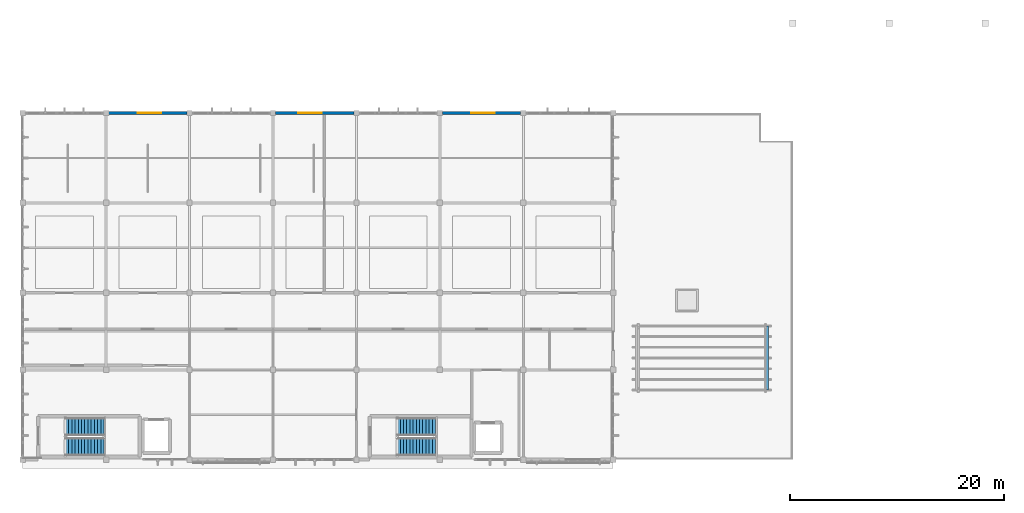
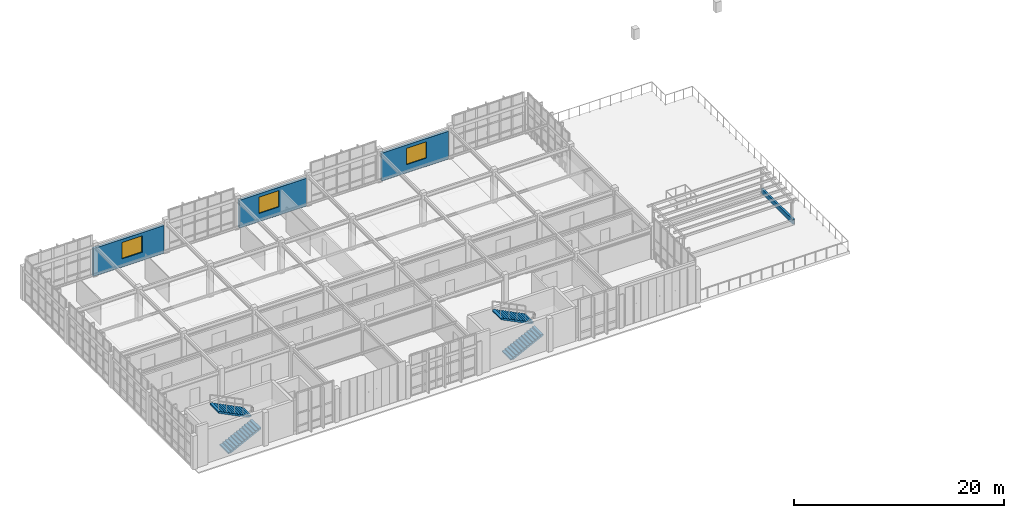
# One storey, part 14 of 20: 4 stair flights, 4 walls, 3 windows, 3 openings, 2 elements without a shape of their own.
"""IFC4 building model written with IfcOpenShell, lengths in metres."""

from ifc_helpers import new_model, si_unit, direction, frame, frame_2d, origin, place, context, subcontext, project, spatial, polyline, rectangle, outline, extrude, material, layer, layer_set, type_object, element, fill, aggregate, save


model = new_model("IFC4")

# Units and contexts
model_context = context("Model", 3, precision=1e-05, world=origin(), true_north=direction((0.0, 1.0)))
body_context = subcontext(model_context, "Body", "Model", "MODEL_VIEW")
ifc_project = project(units=[si_unit("LENGTHUNIT", "METRE"), si_unit("AREAUNIT", "SQUARE_METRE"), si_unit("VOLUMEUNIT", "CUBIC_METRE"), si_unit("PLANEANGLEUNIT", "RADIAN"), si_unit("MASSUNIT", "GRAM", prefix="KILO")], contexts=[model_context])

# Site, building, storey
site_placement = place(None, origin())
site = spatial("IfcSite", under=ifc_project, at=site_placement, CompositionType="ELEMENT")
building_placement = place(site_placement, origin())
building = spatial("IfcBuilding", under=site, at=building_placement, Name="Tizgana Railside Sports Hall", CompositionType="ELEMENT")
storey_placement = place(building_placement, frame((0.0, 0.0, 19.800048828125)))
storey = spatial("IfcBuildingStorey", under=building, at=storey_placement, Name="L04", CompositionType="ELEMENT", Elevation=19.800048828125)

# Wall, opening, window
ifc_material_1 = material(Name="Precast concrete C40/50", Category="concrete")
ifc_layer_1 = layer(ifc_material_1, 0.27001953125, Name="Precast concrete C40/50")
ifc_layer_set_1 = layer_set([ifc_layer_1], Name="Precast concrete C40/50")
wall_type_1 = type_object("IfcWallType", Name="Exterior Studio Facade Wall 270", PredefinedType="STANDARD", material=ifc_layer_set_1)
wall_1_placement = place(storey_placement, frame((15.37255859375, 32.39990234375, 0.0), z_axis=(0.0, 0.0, 1.0), x_axis=(1.0, 0.0, 0.0)))
wall_1 = element("IfcWall", 1, at=wall_1_placement, inside=storey, type_object=wall_type_1, Name="L04 Exterior Wall EWAL-0125", PredefinedType="STANDARD", context=body_context, shape_type="SweptSolid", body=[
    extrude(rectangle(XDim=7.787353515625, YDim=0.27001953125, at=frame_2d((3.8935546875, 0.0))), origin(), (0.0, 0.0, 1.0), 3.23095703125),
])
opening_1_placement = place(wall_1_placement, frame((3.177490234375, 0.0, 0.949951171875)))
opening_1 = element("IfcOpeningElement", 2, at=opening_1_placement, cuts=wall_1, Name="Opening W-0091", PredefinedType="OPENING", context=body_context, shape_type="SweptSolid", body=[
    extrude(rectangle(XDim=2.199951171875, YDim=1.89990234375, at=frame_2d((1.10009765625, 0.949951171875))), frame((0.0, 0.14501953125, 0.0), z_axis=(0.0, -1.0, 0.0), x_axis=(1.0, 0.0, 0.0)), (0.0, 0.0, 1.0), 0.2900390625),
])
ifc_material_2 = material(Name="Double low-E laminated glass", Category="glass")
window_type = type_object("IfcWindowType", Name="Clinic Double Window 2200x1900", PartitioningType="SINGLE_PANEL", PredefinedType="WINDOW", material=ifc_material_2)
window_1_placement = place(opening_1_placement, origin())
window_1 = element("IfcWindow", 3, at=window_1_placement, inside=storey, type_object=window_type, Name="L04 Window W-0091", OverallHeight=1.89990234375, OverallWidth=2.199951171875, PartitioningType="SINGLE_PANEL", PredefinedType="WINDOW", context=body_context, shape_type="SweptSolid", body=[
    extrude(rectangle(XDim=2.199951171875, YDim=1.89990234375, at=frame_2d((1.10009765625, 0.949951171875))), frame((0.0, 0.030029296875, 0.0), z_axis=(0.0, -1.0, 0.0), x_axis=(1.0, 0.0, 0.0)), (0.0, 0.0, 1.0), 0.06005859375),
])
fill(opening_1, window_1)

wall_2_placement = place(storey_placement, frame((31.43994140625, 32.39990234375, 0.0), z_axis=(0.0, 0.0, 1.0), x_axis=(1.0, 0.0, 0.0)))
wall_2 = element("IfcWall", 4, at=wall_2_placement, inside=storey, type_object=wall_type_1, Name="L04 Exterior Wall EWAL-0126", PredefinedType="STANDARD", context=body_context, shape_type="SweptSolid", body=[
    extrude(rectangle(XDim=7.320068359375, YDim=0.27001953125, at=frame_2d((3.66015625, 0.0))), origin(), (0.0, 0.0, 1.0), 3.23095703125),
])
opening_2_placement = place(wall_2_placement, frame((2.110107421875, 0.0, 0.949951171875)))
opening_2 = element("IfcOpeningElement", 5, at=opening_2_placement, cuts=wall_2, Name="Opening W-0092", PredefinedType="OPENING", context=body_context, shape_type="SweptSolid", body=[
    extrude(rectangle(XDim=2.199951171875, YDim=1.89990234375, at=frame_2d((1.10009765625, 0.949951171875))), frame((0.0, 0.14501953125, 0.0), z_axis=(0.0, -1.0, 0.0), x_axis=(1.0, 0.0, 0.0)), (0.0, 0.0, 1.0), 0.2900390625),
])
window_2_placement = place(opening_2_placement, origin())
window_2 = element("IfcWindow", 6, at=window_2_placement, inside=storey, type_object=window_type, Name="L04 Window W-0092", OverallHeight=1.89990234375, OverallWidth=2.199951171875, PartitioningType="SINGLE_PANEL", PredefinedType="WINDOW", context=body_context, shape_type="SweptSolid", body=[
    extrude(rectangle(XDim=2.199951171875, YDim=1.89990234375, at=frame_2d((1.10009765625, 0.949951171875))), frame((0.0, 0.030029296875, 0.0), z_axis=(0.0, -1.0, 0.0), x_axis=(1.0, 0.0, 0.0)), (0.0, 0.0, 1.0), 0.06005859375),
])
fill(opening_2, window_2)

wall_3_placement = place(storey_placement, frame((47.0400390625, 32.39990234375, 0.0), z_axis=(0.0, 0.0, 1.0), x_axis=(1.0, 0.0, 0.0)))
wall_3 = element("IfcWall", 7, at=wall_3_placement, inside=storey, type_object=wall_type_1, Name="L04 Exterior Wall EWAL-0127", PredefinedType="STANDARD", context=body_context, shape_type="SweptSolid", body=[
    extrude(rectangle(XDim=7.320068359375, YDim=0.27001953125, at=frame_2d((3.66015625, 0.0))), origin(), (0.0, 0.0, 1.0), 3.23095703125),
])
opening_3_placement = place(wall_3_placement, frame((2.7099609375, 0.0, 0.949951171875)))
opening_3 = element("IfcOpeningElement", 8, at=opening_3_placement, cuts=wall_3, Name="Opening W-0093", PredefinedType="OPENING", context=body_context, shape_type="SweptSolid", body=[
    extrude(rectangle(XDim=2.199951171875, YDim=1.89990234375, at=frame_2d((1.10009765625, 0.949951171875))), frame((0.0, 0.14501953125, 0.0), z_axis=(0.0, -1.0, 0.0), x_axis=(1.0, 0.0, 0.0)), (0.0, 0.0, 1.0), 0.2900390625),
])
window_3_placement = place(opening_3_placement, origin())
window_3 = element("IfcWindow", 9, at=window_3_placement, inside=storey, type_object=window_type, Name="L04 Window W-0093", OverallHeight=1.89990234375, OverallWidth=2.199951171875, PartitioningType="SINGLE_PANEL", PredefinedType="WINDOW", context=body_context, shape_type="SweptSolid", body=[
    extrude(rectangle(XDim=2.199951171875, YDim=1.89990234375, at=frame_2d((1.10009765625, 0.949951171875))), frame((0.0, 0.030029296875, 0.0), z_axis=(0.0, -1.0, 0.0), x_axis=(1.0, 0.0, 0.0)), (0.0, 0.0, 1.0), 0.06005859375),
])
fill(opening_3, window_3)

# Wall
ifc_material_3 = material(Name="Concrete C35/45", Category="concrete")
ifc_layer_2 = layer(ifc_material_3, 0.2099609375, Name="Concrete C35/45")
ifc_layer_set_2 = layer_set([ifc_layer_2], Name="Concrete C35/45")
wall_type_2 = type_object("IfcWallType", Name="Roof Parapet Upstand 210", PredefinedType="PARAPET", material=ifc_layer_set_2)
wall_4_placement = place(storey_placement, frame((77.39990234375, 6.5, 0.0), z_axis=(0.0, 0.0, 1.0), x_axis=(0.0, 1.0, 0.0)))
element("IfcWall", 10, at=wall_4_placement, inside=storey, type_object=wall_type_2, Name="L04 Roof Garden Planter Kerb", PredefinedType="PARAPET", context=body_context, shape_type="SweptSolid", body=[
    extrude(rectangle(XDim=6.0, YDim=0.2099609375, at=frame_2d((3.0, 0.0))), origin(), (0.0, 0.0, 1.0), 0.550048828125),
])

# Stair, stair flights
stair_type_1 = type_object("IfcStairType", Name="Core Protected Stair 1500", PredefinedType="HALF_TURN_STAIR", material=ifc_material_3)
stair_1_placement = place(storey_placement, origin())
stair_1 = element("IfcStair", 11, at=stair_1_placement, inside=storey, type_object=stair_type_1, Name="L04 Core Stair ST-01", PredefinedType="HALF_TURN_STAIR")
stair_flight_type_1 = type_object("IfcStairFlightType", Name="Core Stair Flight 1500", PredefinedType="STRAIGHT", material=ifc_material_3)
stair_flight_1_placement = place(storey_placement, frame((11.800048828125, 1.22509765625, 0.0), z_axis=(0.0, 0.0, 1.0), x_axis=(1.0, 0.0, 0.0)))
stair_flight_1 = element("IfcStairFlight", 12, at=stair_flight_1_placement, type_object=stair_flight_type_1, Name="ST-01 flight 1", NumberOfRisers=13, NumberOfTreads=12, PredefinedType="STRAIGHT", RiserHeight=0.15, TreadLength=0.3, context=body_context, shape_type="SweptSolid", body=[
    extrude(outline(polyline([(0.0, 0.0), (0.0, 0.14990234375), (0.300048828125, 0.14990234375), (0.300048828125, 0.300048828125), (0.60009765625, 0.300048828125), (0.60009765625, 0.449951171875), (0.89990234375, 0.449951171875), (0.89990234375, 0.60009765625), (1.199951171875, 0.60009765625), (1.199951171875, 0.75), (1.5, 0.75), (1.5, 0.89990234375), (1.800048828125, 0.89990234375), (1.800048828125, 1.050048828125), (2.10009765625, 1.050048828125), (2.10009765625, 1.199951171875), (2.39990234375, 1.199951171875), (2.39990234375, 1.35009765625), (2.699951171875, 1.35009765625), (2.699951171875, 1.5), (3.0, 1.5), (3.0, 1.64990234375), (3.300048828125, 1.64990234375), (3.300048828125, 1.800048828125), (3.60009765625, 1.800048828125), (3.60009765625, 1.949951171875), (3.60009765625, 1.63232421875), (0.335205078125, 0.0), (0.0, 0.0)])), frame((0.0, 0.824951171875, 0.0), z_axis=(0.0, -1.0, 0.0), x_axis=(1.0, 0.0, 0.0)), (0.0, 0.0, 1.0), 1.64990234375),
])
stair_flight_2_placement = place(storey_placement, frame((15.39990234375, 3.074951171875, 1.949951171875), z_axis=(0.0, 0.0, 1.0), x_axis=(-1.0, 0.0, 0.0)))
stair_flight_2 = element("IfcStairFlight", 13, at=stair_flight_2_placement, type_object=stair_flight_type_1, Name="ST-01 flight 2", NumberOfRisers=13, NumberOfTreads=12, PredefinedType="STRAIGHT", RiserHeight=0.15, TreadLength=0.3, context=body_context, shape_type="SweptSolid", body=[
    extrude(outline(polyline([(0.0, 0.0), (0.0, 0.14990234375), (0.300048828125, 0.14990234375), (0.300048828125, 0.300048828125), (0.60009765625, 0.300048828125), (0.60009765625, 0.449951171875), (0.89990234375, 0.449951171875), (0.89990234375, 0.60009765625), (1.199951171875, 0.60009765625), (1.199951171875, 0.75), (1.5, 0.75), (1.5, 0.89990234375), (1.800048828125, 0.89990234375), (1.800048828125, 1.050048828125), (2.10009765625, 1.050048828125), (2.10009765625, 1.199951171875), (2.39990234375, 1.199951171875), (2.39990234375, 1.35009765625), (2.699951171875, 1.35009765625), (2.699951171875, 1.5), (3.0, 1.5), (3.0, 1.64990234375), (3.300048828125, 1.64990234375), (3.300048828125, 1.800048828125), (3.60009765625, 1.800048828125), (3.60009765625, 1.949951171875), (3.60009765625, 1.63232421875), (0.335205078125, 0.0), (0.0, 0.0)])), frame((0.0, 0.824951171875, 0.0), z_axis=(0.0, -1.0, 0.0), x_axis=(1.0, 0.0, 0.0)), (0.0, 0.0, 1.0), 1.64990234375),
])
aggregate(stair_1, [stair_flight_1, stair_flight_2])

stair_type_2 = type_object("IfcStairType", Name="Tournament Court Stair 1600", PredefinedType="HALF_TURN_STAIR", material=ifc_material_3)
stair_2_placement = place(storey_placement, origin())
stair_2 = element("IfcStair", 14, at=stair_2_placement, inside=storey, type_object=stair_type_2, Name="L04 Core Stair ST-02", PredefinedType="HALF_TURN_STAIR")
stair_flight_type_2 = type_object("IfcStairFlightType", Name="Tournament Stair Flight 1600", PredefinedType="STRAIGHT", material=ifc_material_3)
stair_flight_3_placement = place(storey_placement, frame((42.800048828125, 1.22509765625, 0.0), z_axis=(0.0, 0.0, 1.0), x_axis=(1.0, 0.0, 0.0)))
stair_flight_3 = element("IfcStairFlight", 15, at=stair_flight_3_placement, type_object=stair_flight_type_2, Name="ST-02 flight 1", NumberOfRisers=13, NumberOfTreads=12, PredefinedType="STRAIGHT", RiserHeight=0.15, TreadLength=0.3, context=body_context, shape_type="SweptSolid", body=[
    extrude(outline(polyline([(0.0, 0.0), (0.0, 0.14990234375), (0.300048828125, 0.14990234375), (0.300048828125, 0.300048828125), (0.60009765625, 0.300048828125), (0.60009765625, 0.449951171875), (0.89990234375, 0.449951171875), (0.89990234375, 0.60009765625), (1.199951171875, 0.60009765625), (1.199951171875, 0.75), (1.5, 0.75), (1.5, 0.89990234375), (1.800048828125, 0.89990234375), (1.800048828125, 1.050048828125), (2.10009765625, 1.050048828125), (2.10009765625, 1.199951171875), (2.39990234375, 1.199951171875), (2.39990234375, 1.35009765625), (2.699951171875, 1.35009765625), (2.699951171875, 1.5), (3.0, 1.5), (3.0, 1.64990234375), (3.300048828125, 1.64990234375), (3.300048828125, 1.800048828125), (3.60009765625, 1.800048828125), (3.60009765625, 1.949951171875), (3.60009765625, 1.63232421875), (0.335205078125, 0.0), (0.0, 0.0)])), frame((0.0, 0.824951171875, 0.0), z_axis=(0.0, -1.0, 0.0), x_axis=(1.0, 0.0, 0.0)), (0.0, 0.0, 1.0), 1.64990234375),
])
stair_flight_4_placement = place(storey_placement, frame((46.39990234375, 3.074951171875, 1.949951171875), z_axis=(0.0, 0.0, 1.0), x_axis=(-1.0, 0.0, 0.0)))
stair_flight_4 = element("IfcStairFlight", 16, at=stair_flight_4_placement, type_object=stair_flight_type_2, Name="ST-02 flight 2", NumberOfRisers=13, NumberOfTreads=12, PredefinedType="STRAIGHT", RiserHeight=0.15, TreadLength=0.3, context=body_context, shape_type="SweptSolid", body=[
    extrude(outline(polyline([(0.0, 0.0), (0.0, 0.14990234375), (0.300048828125, 0.14990234375), (0.300048828125, 0.300048828125), (0.60009765625, 0.300048828125), (0.60009765625, 0.449951171875), (0.89990234375, 0.449951171875), (0.89990234375, 0.60009765625), (1.199951171875, 0.60009765625), (1.199951171875, 0.75), (1.5, 0.75), (1.5, 0.89990234375), (1.800048828125, 0.89990234375), (1.800048828125, 1.050048828125), (2.10009765625, 1.050048828125), (2.10009765625, 1.199951171875), (2.39990234375, 1.199951171875), (2.39990234375, 1.35009765625), (2.699951171875, 1.35009765625), (2.699951171875, 1.5), (3.0, 1.5), (3.0, 1.64990234375), (3.300048828125, 1.64990234375), (3.300048828125, 1.800048828125), (3.60009765625, 1.800048828125), (3.60009765625, 1.949951171875), (3.60009765625, 1.63232421875), (0.335205078125, 0.0), (0.0, 0.0)])), frame((0.0, 0.824951171875, 0.0), z_axis=(0.0, -1.0, 0.0), x_axis=(1.0, 0.0, 0.0)), (0.0, 0.0, 1.0), 1.64990234375),
])
aggregate(stair_2, [stair_flight_3, stair_flight_4])

save(model, "model.ifc")
